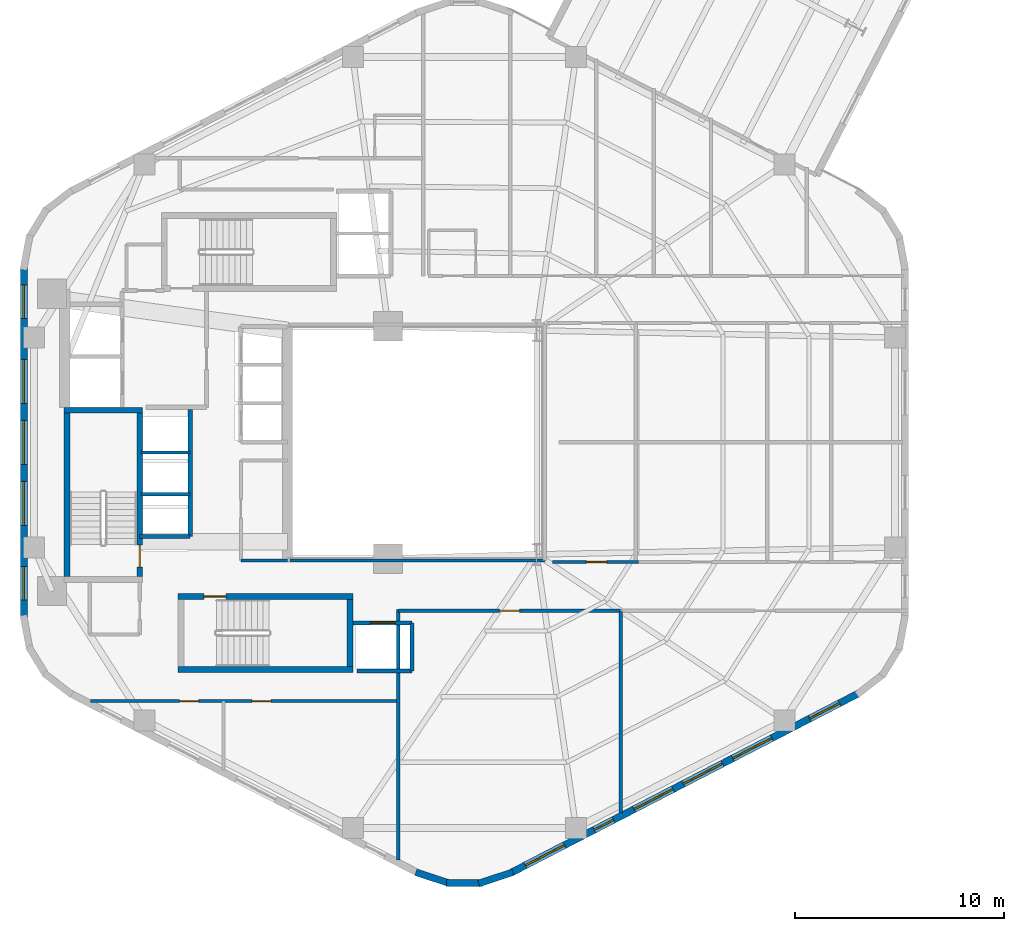
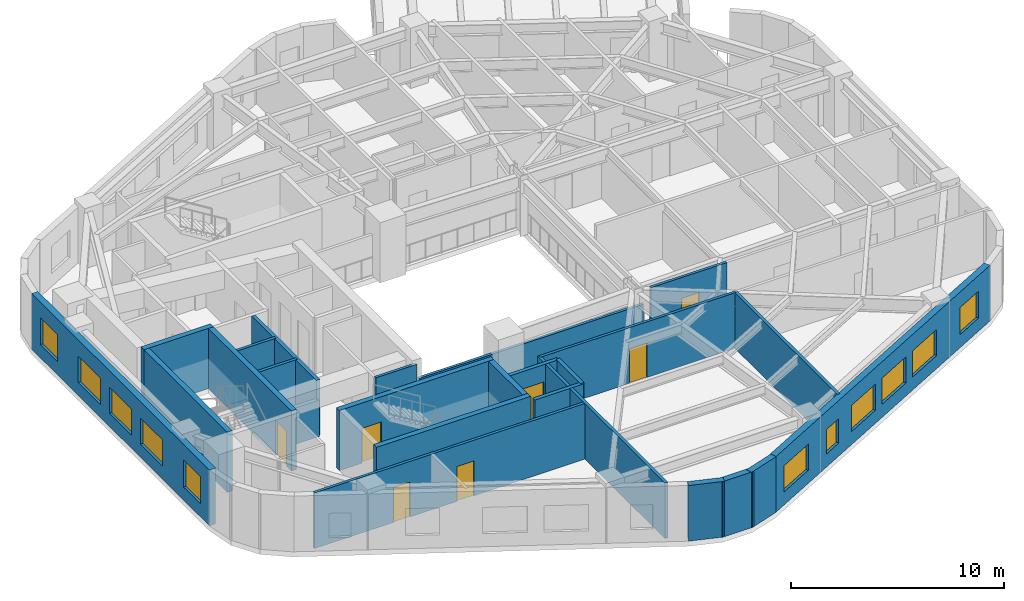
# One storey, part 5 of 11: 25 walls, 11 windows, 7 doors, 18 openings.
"""IFC4 building model written with IfcOpenShell, lengths in metres."""

from ifc_helpers import new_model, si_unit, direction, frame, frame_2d, origin, place, context, subcontext, project, spatial, rectangle, extrude, material, layer, layer_set, type_object, element, fill, save


model = new_model("IFC4")

# Units and contexts
model_context = context("Model", 3, precision=1e-05, world=origin(), true_north=direction((0.0, 1.0)))
body_context = subcontext(model_context, "Body", "Model", "MODEL_VIEW")
ifc_project = project(units=[si_unit("LENGTHUNIT", "METRE"), si_unit("AREAUNIT", "SQUARE_METRE"), si_unit("VOLUMEUNIT", "CUBIC_METRE"), si_unit("PLANEANGLEUNIT", "RADIAN"), si_unit("MASSUNIT", "GRAM", prefix="KILO"), si_unit("THERMODYNAMICTEMPERATUREUNIT", "KELVIN"), si_unit("POWERUNIT", "WATT")], contexts=[model_context])

# Site, building, storey
site_placement = place(None, origin())
site = spatial("IfcSite", under=ifc_project, at=site_placement, CompositionType="ELEMENT")
building_placement = place(site_placement, origin())
building = spatial("IfcBuilding", under=site, at=building_placement, Name="Skarre Station Tower", CompositionType="ELEMENT")
storey_placement = place(building_placement, frame((0.0, 0.0, 118.800048828125)))
storey = spatial("IfcBuildingStorey", under=building, at=storey_placement, Name="L31", CompositionType="ELEMENT", Elevation=118.800048828125)

# Walls
ifc_material_1 = material(Name="Acoustic Steel-Stud Gypsum Partition", Category="steel")
ifc_layer_1 = layer(ifc_material_1, 0.14990234375, Name="Acoustic Steel-Stud Gypsum Partition")
ifc_layer_set_1 = layer_set([ifc_layer_1], Name="Acoustic Steel-Stud Gypsum Partition")
wall_type_1 = type_object("IfcWallType", Name="Fire-Rated Corridor Acoustic Partition 150", PredefinedType="PARTITIONING", material=ifc_layer_set_1)
wall_1_placement = place(storey_placement, frame((25.320068359375, 18.360107421875, 0.0), z_axis=(0.0, 0.0, 1.0), x_axis=(1.0, 0.0, 0.0)))
element("IfcWall", 1, at=wall_1_placement, inside=storey, type_object=wall_type_1, Name="L31 Interior Partition WL-PT-L31-RC1-S", PredefinedType="PARTITIONING", context=body_context, shape_type="SweptSolid", body=[
    extrude(rectangle(XDim=2.22998046875, YDim=0.14990234375, at=frame_2d((1.114990234375, 0.0))), origin(), (0.0, 0.0, 1.0), 3.18994140625),
])
wall_2_placement = place(storey_placement, frame((27.675048828125, 18.360107421875, 0.0), z_axis=(0.0, 0.0, 1.0), x_axis=(1.0, 0.0, 0.0)))
element("IfcWall", 2, at=wall_2_placement, inside=storey, type_object=wall_type_1, Name="L31 Interior Partition WL-PT-L31-ATRW-S", PredefinedType="PARTITIONING", context=body_context, shape_type="SweptSolid", body=[
    extrude(rectangle(XDim=12.1650390625, YDim=0.14990234375, at=frame_2d((6.08251953125, 0.0))), origin(), (0.0, 0.0, 1.0), 2.3310546875),
])

# Wall, openings, doors
wall_3_placement = place(storey_placement, frame((18.1259765625, 11.639892578125, 0.0), z_axis=(0.0, 0.0, 1.0), x_axis=(1.0, 0.0, 0.0)))
wall_3 = element("IfcWall", 3, at=wall_3_placement, inside=storey, type_object=wall_type_1, Name="L31 Interior Partition WL-PT-L31-SWP-N", PredefinedType="PARTITIONING", context=body_context, shape_type="SweptSolid", body=[
    extrude(rectangle(XDim=14.72412109375, YDim=0.14990234375, at=frame_2d((7.362060546875, 0.0))), origin(), (0.0, 0.0, 1.0), 3.18994140625),
])
opening_1_placement = place(wall_3_placement, frame((4.27392578125, 0.0, 0.0)))
opening_1 = element("IfcOpeningElement", 4, at=opening_1_placement, cuts=wall_3, Name="Opening DR-SVC90", PredefinedType="OPENING", context=body_context, shape_type="SweptSolid", body=[
    extrude(rectangle(XDim=0.89990234375, YDim=2.0, at=frame_2d((0.449951171875, 1.0))), frame((0.0, 0.0849609375, 0.0), z_axis=(0.0, -1.0, 0.0), x_axis=(1.0, 0.0, 0.0)), (0.0, 0.0, 1.0), 0.169921875),
])
opening_2_placement = place(wall_3_placement, frame((7.72412109375, 0.0, 0.0)))
opening_2 = element("IfcOpeningElement", 5, at=opening_2_placement, cuts=wall_3, Name="Opening DR-SVC90", PredefinedType="OPENING", context=body_context, shape_type="SweptSolid", body=[
    extrude(rectangle(XDim=0.89990234375, YDim=2.0, at=frame_2d((0.449951171875, 1.0))), frame((0.0, 0.0849609375, 0.0), z_axis=(0.0, -1.0, 0.0), x_axis=(1.0, 0.0, 0.0)), (0.0, 0.0, 1.0), 0.169921875),
])
ifc_material_2 = material(Name="Powder-Coated Hollow-Metal Acoustic Fire Leaf", Category="steel")
door_type_1 = type_object("IfcDoorType", Name="Service & Riser Fire Door FD60 900x2100", OperationType="SINGLE_SWING_LEFT", PredefinedType="DOOR", material=ifc_material_2)
door_1_placement = place(opening_1_placement, origin())
door_1 = element("IfcDoor", 6, at=door_1_placement, inside=storey, type_object=door_type_1, Name="L31 Floor Public Toilets Door", OperationType="SINGLE_SWING_LEFT", OverallHeight=2.0, OverallWidth=0.89990234375, PredefinedType="DOOR", context=body_context, shape_type="SweptSolid", body=[
    extrude(rectangle(XDim=0.89990234375, YDim=2.0, at=frame_2d((0.449951171875, 1.0))), frame((0.0, 0.02490234375, 0.0), z_axis=(0.0, -1.0, 0.0), x_axis=(1.0, 0.0, 0.0)), (0.0, 0.0, 1.0), 0.050048828125),
])
fill(opening_1, door_1)
door_2_placement = place(opening_2_placement, origin())
door_2 = element("IfcDoor", 7, at=door_2_placement, inside=storey, type_object=door_type_1, Name="L31 Housekeeping Room Door", OperationType="SINGLE_SWING_LEFT", OverallHeight=2.0, OverallWidth=0.89990234375, PredefinedType="DOOR", context=body_context, shape_type="SweptSolid", body=[
    extrude(rectangle(XDim=0.89990234375, YDim=2.0, at=frame_2d((0.449951171875, 1.0))), frame((0.0, 0.02490234375, 0.0), z_axis=(0.0, -1.0, 0.0), x_axis=(1.0, 0.0, 0.0)), (0.0, 0.0, 1.0), 0.050048828125),
])
fill(opening_2, door_2)

# Wall, opening, door
wall_4_placement = place(storey_placement, frame((44.31201171875, 18.2900390625, 0.0), z_axis=(0.0, 0.0, 1.0), x_axis=(-1.0, 0.0, 0.0)))
wall_4 = element("IfcWall", 8, at=wall_4_placement, inside=storey, type_object=wall_type_1, Name="L31 Interior Partition WL-PT-L31-EWS1-CW", PredefinedType="PARTITIONING", context=body_context, shape_type="SweptSolid", body=[
    extrude(rectangle(XDim=4.112060546875, YDim=0.14990234375, at=frame_2d((2.05615234375, 0.0))), origin(), (0.0, 0.0, 1.0), 3.18994140625),
])
opening_3_placement = place(wall_4_placement, frame((1.51806640625, 0.0, 0.0)))
opening_3 = element("IfcOpeningElement", 9, at=opening_3_placement, cuts=wall_4, Name="Opening DR-FD60", PredefinedType="OPENING", context=body_context, shape_type="SweptSolid", body=[
    extrude(rectangle(XDim=0.9599609375, YDim=2.0, at=frame_2d((0.47998046875, 1.0))), frame((0.0, 0.0849609375, 0.0), z_axis=(0.0, -1.0, 0.0), x_axis=(1.0, 0.0, 0.0)), (0.0, 0.0, 1.0), 0.169921875),
])
ifc_material_3 = material(Name="Nordic White-Oak Veneer Solid-Core Fire Leaf", Category="wood")
door_type_2 = type_object("IfcDoorType", Name="Corridor Suite Entry Fire Door FD60 960x2150", OperationType="SINGLE_SWING_LEFT", PredefinedType="DOOR", material=ifc_material_3)
door_3_placement = place(opening_3_placement, origin())
door_3 = element("IfcDoor", 10, at=door_3_placement, inside=storey, type_object=door_type_2, Name="L31 EWS1 Entry Door", OperationType="SINGLE_SWING_LEFT", OverallHeight=2.0, OverallWidth=0.9599609375, PredefinedType="DOOR", context=body_context, shape_type="SweptSolid", body=[
    extrude(rectangle(XDim=0.9599609375, YDim=2.0, at=frame_2d((0.47998046875, 1.0))), frame((0.0, 0.02490234375, 0.0), z_axis=(0.0, -1.0, 0.0), x_axis=(1.0, 0.0, 0.0)), (0.0, 0.0, 1.0), 0.050048828125),
])
fill(opening_3, door_3)

wall_5_placement = place(storey_placement, frame((32.85009765625, 15.9599609375, 0.0), z_axis=(0.0, 0.0, 1.0), x_axis=(1.0, 0.0, 0.0)))
wall_5 = element("IfcWall", 11, at=wall_5_placement, inside=storey, type_object=wall_type_1, Name="L31 Interior Partition WL-PT-L31-SW1-CW", PredefinedType="PARTITIONING", context=body_context, shape_type="SweptSolid", body=[
    extrude(rectangle(XDim=10.61083984375, YDim=0.14990234375, at=frame_2d((5.305419921875, 0.0))), origin(), (0.0, 0.0, 1.0), 3.18994140625),
])
opening_4_placement = place(wall_5_placement, frame((4.825927734375, 0.0, 0.0)))
opening_4 = element("IfcOpeningElement", 12, at=opening_4_placement, cuts=wall_5, Name="Opening DR-FD60", PredefinedType="OPENING", context=body_context, shape_type="SweptSolid", body=[
    extrude(rectangle(XDim=0.9599609375, YDim=2.0, at=frame_2d((0.47998046875, 1.0))), frame((0.0, 0.0849609375, 0.0), z_axis=(0.0, -1.0, 0.0), x_axis=(1.0, 0.0, 0.0)), (0.0, 0.0, 1.0), 0.169921875),
])
door_4_placement = place(opening_4_placement, origin())
door_4 = element("IfcDoor", 13, at=door_4_placement, inside=storey, type_object=door_type_2, Name="L31 SW1 Entry Door", OperationType="SINGLE_SWING_LEFT", OverallHeight=2.0, OverallWidth=0.9599609375, PredefinedType="DOOR", context=body_context, shape_type="SweptSolid", body=[
    extrude(rectangle(XDim=0.9599609375, YDim=2.0, at=frame_2d((0.47998046875, 1.0))), frame((0.0, 0.02490234375, 0.0), z_axis=(0.0, -1.0, 0.0), x_axis=(1.0, 0.0, 0.0)), (0.0, 0.0, 1.0), 0.050048828125),
])
fill(opening_4, door_4)

# Wall, openings, windows
ifc_material_4 = material(Name="Precast concrete C45/55", Category="concrete")
ifc_layer_2 = layer(ifc_material_4, 0.340087890625, Name="Precast concrete C45/55")
ifc_layer_set_2 = layer_set([ifc_layer_2], Name="Precast concrete C45/55")
wall_type_2 = type_object("IfcWallType", Name="Nordic Honed Precast Facet Wall 340", PredefinedType="STANDARD", material=ifc_layer_set_2)
wall_6_placement = place(storey_placement, frame((14.951904296875, 15.64794921875, 0.0), z_axis=(0.0, 0.0, 1.0), x_axis=(0.0, 1.0, 0.0)))
wall_6 = element("IfcWall", 14, at=wall_6_placement, inside=storey, type_object=wall_type_2, Name="L31 Facet 2 Nordic Precast Masonry Wall", PredefinedType="STANDARD", context=body_context, shape_type="SweptSolid", body=[
    extrude(rectangle(XDim=16.7041015625, YDim=0.340087890625, at=frame_2d((8.35205078125, 0.0))), origin(), (0.0, 0.0, 1.0), 3.18994140625),
])
opening_5_placement = place(wall_6_placement, frame((0.825927734375, 0.0, 0.75)))
opening_5 = element("IfcOpeningElement", 15, at=opening_5_placement, cuts=wall_6, Name="Opening WN-Z2A", PredefinedType="OPENING", context=body_context, shape_type="SweptSolid", body=[
    extrude(rectangle(XDim=1.60009765625, YDim=1.550048828125, at=frame_2d((0.800048828125, 0.77490234375))), frame((0.0, 0.179931640625, 0.0), z_axis=(0.0, -1.0, 0.0), x_axis=(1.0, 0.0, 0.0)), (0.0, 0.0, 1.0), 0.360107421875),
])
opening_6_placement = place(wall_6_placement, frame((4.387939453125, 0.0, 0.75)))
opening_6 = element("IfcOpeningElement", 16, at=opening_6_placement, cuts=wall_6, Name="Opening WN-Z2B", PredefinedType="OPENING", context=body_context, shape_type="SweptSolid", body=[
    extrude(rectangle(XDim=2.10009765625, YDim=1.5, at=frame_2d((1.050048828125, 0.75))), frame((0.0, 0.179931640625, 0.0), z_axis=(0.0, -1.0, 0.0), x_axis=(1.0, 0.0, 0.0)), (0.0, 0.0, 1.0), 0.360107421875),
])
opening_7_placement = place(wall_6_placement, frame((7.302001953125, 0.0, 0.75)))
opening_7 = element("IfcOpeningElement", 17, at=opening_7_placement, cuts=wall_6, Name="Opening WN-Z2B", PredefinedType="OPENING", context=body_context, shape_type="SweptSolid", body=[
    extrude(rectangle(XDim=2.10009765625, YDim=1.5, at=frame_2d((1.050048828125, 0.75))), frame((0.0, 0.179931640625, 0.0), z_axis=(0.0, -1.0, 0.0), x_axis=(1.0, 0.0, 0.0)), (0.0, 0.0, 1.0), 0.360107421875),
])
opening_8_placement = place(wall_6_placement, frame((10.216064453125, 0.0, 0.75)))
opening_8 = element("IfcOpeningElement", 18, at=opening_8_placement, cuts=wall_6, Name="Opening WN-Z2B", PredefinedType="OPENING", context=body_context, shape_type="SweptSolid", body=[
    extrude(rectangle(XDim=2.10009765625, YDim=1.5, at=frame_2d((1.050048828125, 0.75))), frame((0.0, 0.179931640625, 0.0), z_axis=(0.0, -1.0, 0.0), x_axis=(1.0, 0.0, 0.0)), (0.0, 0.0, 1.0), 0.360107421875),
])
opening_9_placement = place(wall_6_placement, frame((14.278076171875, 0.0, 0.75)))
opening_9 = element("IfcOpeningElement", 19, at=opening_9_placement, cuts=wall_6, Name="Opening WN-Z2A", PredefinedType="OPENING", context=body_context, shape_type="SweptSolid", body=[
    extrude(rectangle(XDim=1.60009765625, YDim=1.550048828125, at=frame_2d((0.800048828125, 0.77490234375))), frame((0.0, 0.179931640625, 0.0), z_axis=(0.0, -1.0, 0.0), x_axis=(1.0, 0.0, 0.0)), (0.0, 0.0, 1.0), 0.360107421875),
])
ifc_material_5 = material(Name="Low-Iron Triple Glazing with Bronze Anodized Frame", Category="glass")
window_type_1 = type_object("IfcWindowType", Name="Nordic Residential Tall Window 1600x1550", PartitioningType="SINGLE_PANEL", PredefinedType="WINDOW", material=ifc_material_5)
window_1_placement = place(opening_5_placement, origin())
window_1 = element("IfcWindow", 20, at=window_1_placement, inside=storey, type_object=window_type_1, Name="L31 Facade Window WL-FAC-L31-F2-1", OverallHeight=1.550048828125, OverallWidth=1.60009765625, PartitioningType="SINGLE_PANEL", PredefinedType="WINDOW", context=body_context, shape_type="SweptSolid", body=[
    extrude(rectangle(XDim=1.60009765625, YDim=1.550048828125, at=frame_2d((0.800048828125, 0.77490234375))), frame((0.0, 0.030029296875, 0.0), z_axis=(0.0, -1.0, 0.0), x_axis=(1.0, 0.0, 0.0)), (0.0, 0.0, 1.0), 0.06005859375),
])
fill(opening_5, window_1)
window_2_placement = place(opening_9_placement, origin())
window_2 = element("IfcWindow", 21, at=window_2_placement, inside=storey, type_object=window_type_1, Name="L31 Facade Window WL-FAC-L31-F2-5", OverallHeight=1.550048828125, OverallWidth=1.60009765625, PartitioningType="SINGLE_PANEL", PredefinedType="WINDOW", context=body_context, shape_type="SweptSolid", body=[
    extrude(rectangle(XDim=1.60009765625, YDim=1.550048828125, at=frame_2d((0.800048828125, 0.77490234375))), frame((0.0, 0.030029296875, 0.0), z_axis=(0.0, -1.0, 0.0), x_axis=(1.0, 0.0, 0.0)), (0.0, 0.0, 1.0), 0.06005859375),
])
fill(opening_9, window_2)
window_type_2 = type_object("IfcWindowType", Name="Nordic Residential Twin Window 2100x1500", PartitioningType="SINGLE_PANEL", PredefinedType="WINDOW", material=ifc_material_5)
window_3_placement = place(opening_6_placement, origin())
window_3 = element("IfcWindow", 22, at=window_3_placement, inside=storey, type_object=window_type_2, Name="L31 Facade Window WL-FAC-L31-F2-2", OverallHeight=1.5, OverallWidth=2.10009765625, PartitioningType="SINGLE_PANEL", PredefinedType="WINDOW", context=body_context, shape_type="SweptSolid", body=[
    extrude(rectangle(XDim=2.10009765625, YDim=1.5, at=frame_2d((1.050048828125, 0.75))), frame((0.0, 0.030029296875, 0.0), z_axis=(0.0, -1.0, 0.0), x_axis=(1.0, 0.0, 0.0)), (0.0, 0.0, 1.0), 0.06005859375),
])
fill(opening_6, window_3)
window_4_placement = place(opening_7_placement, origin())
window_4 = element("IfcWindow", 23, at=window_4_placement, inside=storey, type_object=window_type_2, Name="L31 Facade Window WL-FAC-L31-F2-3", OverallHeight=1.5, OverallWidth=2.10009765625, PartitioningType="SINGLE_PANEL", PredefinedType="WINDOW", context=body_context, shape_type="SweptSolid", body=[
    extrude(rectangle(XDim=2.10009765625, YDim=1.5, at=frame_2d((1.050048828125, 0.75))), frame((0.0, 0.030029296875, 0.0), z_axis=(0.0, -1.0, 0.0), x_axis=(1.0, 0.0, 0.0)), (0.0, 0.0, 1.0), 0.06005859375),
])
fill(opening_7, window_4)
window_5_placement = place(opening_8_placement, origin())
window_5 = element("IfcWindow", 24, at=window_5_placement, inside=storey, type_object=window_type_2, Name="L31 Facade Window WL-FAC-L31-F2-4", OverallHeight=1.5, OverallWidth=2.10009765625, PartitioningType="SINGLE_PANEL", PredefinedType="WINDOW", context=body_context, shape_type="SweptSolid", body=[
    extrude(rectangle(XDim=2.10009765625, YDim=1.5, at=frame_2d((1.050048828125, 0.75))), frame((0.0, 0.030029296875, 0.0), z_axis=(0.0, -1.0, 0.0), x_axis=(1.0, 0.0, 0.0)), (0.0, 0.0, 1.0), 0.06005859375),
])
fill(opening_8, window_5)

wall_7_placement = place(storey_placement, frame((54.8310546875, 12.010009765625, 0.0), z_axis=(0.0, 0.0, 1.0), x_axis=(-0.888613612362, -0.458656568606, 0.0)))
wall_7 = element("IfcWall", 25, at=wall_7_placement, inside=storey, type_object=wall_type_2, Name="L31 Facet 4 Nordic Precast Masonry Wall", PredefinedType="STANDARD", context=body_context, shape_type="SweptSolid", body=[
    extrude(rectangle(XDim=18.680908203125, YDim=0.340087890625, at=frame_2d((9.34033203125, 0.0))), origin(), (0.0, 0.0, 1.0), 3.18994140625),
])
opening_10_placement = place(wall_7_placement, frame((1.02294921875, 0.0, 0.75)))
opening_10 = element("IfcOpeningElement", 26, at=opening_10_placement, cuts=wall_7, Name="Opening WN-Z2A", PredefinedType="OPENING", context=body_context, shape_type="SweptSolid", body=[
    extrude(rectangle(XDim=1.60009765625, YDim=1.550048828125, at=frame_2d((0.800048828125, 0.77490234375))), frame((0.0, 0.179931640625, 0.0), z_axis=(0.0, -1.0, 0.0), x_axis=(1.0, 0.0, 0.0)), (0.0, 0.0, 1.0), 0.360107421875),
])
opening_11_placement = place(wall_7_placement, frame((4.655029296875, 0.0, 0.75)))
opening_11 = element("IfcOpeningElement", 27, at=opening_11_placement, cuts=wall_7, Name="Opening WN-Z2B", PredefinedType="OPENING", context=body_context, shape_type="SweptSolid", body=[
    extrude(rectangle(XDim=2.10009765625, YDim=1.5, at=frame_2d((1.050048828125, 0.75))), frame((0.0, 0.179931640625, 0.0), z_axis=(0.0, -1.0, 0.0), x_axis=(1.0, 0.0, 0.0)), (0.0, 0.0, 1.0), 0.360107421875),
])
opening_12_placement = place(wall_7_placement, frame((7.31298828125, 0.0, 0.75)))
opening_12 = element("IfcOpeningElement", 28, at=opening_12_placement, cuts=wall_7, Name="Opening WN-Z2B", PredefinedType="OPENING", context=body_context, shape_type="SweptSolid", body=[
    extrude(rectangle(XDim=2.10009765625, YDim=1.5, at=frame_2d((1.050048828125, 0.75))), frame((0.0, 0.179931640625, 0.0), z_axis=(0.0, -1.0, 0.0), x_axis=(1.0, 0.0, 0.0)), (0.0, 0.0, 1.0), 0.360107421875),
])
opening_13_placement = place(wall_7_placement, frame((9.970947265625, 0.0, 0.75)))
opening_13 = element("IfcOpeningElement", 29, at=opening_13_placement, cuts=wall_7, Name="Opening WN-Z2B", PredefinedType="OPENING", context=body_context, shape_type="SweptSolid", body=[
    extrude(rectangle(XDim=2.10009765625, YDim=1.5, at=frame_2d((1.050048828125, 0.75))), frame((0.0, 0.179931640625, 0.0), z_axis=(0.0, -1.0, 0.0), x_axis=(1.0, 0.0, 0.0)), (0.0, 0.0, 1.0), 0.360107421875),
])
opening_14_placement = place(wall_7_placement, frame((13.1650390625, 0.0, 0.75)))
opening_14 = element("IfcOpeningElement", 30, at=opening_14_placement, cuts=wall_7, Name="Opening WN-SLT", PredefinedType="OPENING", context=body_context, shape_type="SweptSolid", body=[
    extrude(rectangle(XDim=1.050048828125, YDim=1.39990234375, at=frame_2d((0.52490234375, 0.699951171875))), frame((0.0, 0.179931640625, 0.0), z_axis=(0.0, -1.0, 0.0), x_axis=(1.0, 0.0, 0.0)), (0.0, 0.0, 1.0), 0.360107421875),
])
opening_15_placement = place(wall_7_placement, frame((15.80810546875, 0.0, 0.75)))
opening_15 = element("IfcOpeningElement", 31, at=opening_15_placement, cuts=wall_7, Name="Opening WN-Z2B", PredefinedType="OPENING", context=body_context, shape_type="SweptSolid", body=[
    extrude(rectangle(XDim=2.10009765625, YDim=1.5, at=frame_2d((1.050048828125, 0.75))), frame((0.0, 0.179931640625, 0.0), z_axis=(0.0, -1.0, 0.0), x_axis=(1.0, 0.0, 0.0)), (0.0, 0.0, 1.0), 0.360107421875),
])
window_type_3 = type_object("IfcWindowType", Name="Nordic Corner Slot Window 1050x1400", PartitioningType="SINGLE_PANEL", PredefinedType="WINDOW", material=ifc_material_5)
window_6_placement = place(opening_14_placement, origin())
window_6 = element("IfcWindow", 32, at=window_6_placement, inside=storey, type_object=window_type_3, Name="L31 Facade Window WL-FAC-L31-F4-5", OverallHeight=1.39990234375, OverallWidth=1.050048828125, PartitioningType="SINGLE_PANEL", PredefinedType="WINDOW", context=body_context, shape_type="SweptSolid", body=[
    extrude(rectangle(XDim=1.050048828125, YDim=1.39990234375, at=frame_2d((0.52490234375, 0.699951171875))), frame((0.0, 0.030029296875, 0.0), z_axis=(0.0, -1.0, 0.0), x_axis=(1.0, 0.0, 0.0)), (0.0, 0.0, 1.0), 0.06005859375),
])
fill(opening_14, window_6)
window_7_placement = place(opening_10_placement, origin())
window_7 = element("IfcWindow", 33, at=window_7_placement, inside=storey, type_object=window_type_1, Name="L31 Facade Window WL-FAC-L31-F4-1", OverallHeight=1.550048828125, OverallWidth=1.60009765625, PartitioningType="SINGLE_PANEL", PredefinedType="WINDOW", context=body_context, shape_type="SweptSolid", body=[
    extrude(rectangle(XDim=1.60009765625, YDim=1.550048828125, at=frame_2d((0.800048828125, 0.77490234375))), frame((0.0, 0.030029296875, 0.0), z_axis=(0.0, -1.0, 0.0), x_axis=(1.0, 0.0, 0.0)), (0.0, 0.0, 1.0), 0.06005859375),
])
fill(opening_10, window_7)
window_8_placement = place(opening_11_placement, origin())
window_8 = element("IfcWindow", 34, at=window_8_placement, inside=storey, type_object=window_type_2, Name="L31 Facade Window WL-FAC-L31-F4-2", OverallHeight=1.5, OverallWidth=2.10009765625, PartitioningType="SINGLE_PANEL", PredefinedType="WINDOW", context=body_context, shape_type="SweptSolid", body=[
    extrude(rectangle(XDim=2.10009765625, YDim=1.5, at=frame_2d((1.050048828125, 0.75))), frame((0.0, 0.030029296875, 0.0), z_axis=(0.0, -1.0, 0.0), x_axis=(1.0, 0.0, 0.0)), (0.0, 0.0, 1.0), 0.06005859375),
])
fill(opening_11, window_8)
window_9_placement = place(opening_12_placement, origin())
window_9 = element("IfcWindow", 35, at=window_9_placement, inside=storey, type_object=window_type_2, Name="L31 Facade Window WL-FAC-L31-F4-3", OverallHeight=1.5, OverallWidth=2.10009765625, PartitioningType="SINGLE_PANEL", PredefinedType="WINDOW", context=body_context, shape_type="SweptSolid", body=[
    extrude(rectangle(XDim=2.10009765625, YDim=1.5, at=frame_2d((1.050048828125, 0.75))), frame((0.0, 0.030029296875, 0.0), z_axis=(0.0, -1.0, 0.0), x_axis=(1.0, 0.0, 0.0)), (0.0, 0.0, 1.0), 0.06005859375),
])
fill(opening_12, window_9)
window_10_placement = place(opening_13_placement, origin())
window_10 = element("IfcWindow", 36, at=window_10_placement, inside=storey, type_object=window_type_2, Name="L31 Facade Window WL-FAC-L31-F4-4", OverallHeight=1.5, OverallWidth=2.10009765625, PartitioningType="SINGLE_PANEL", PredefinedType="WINDOW", context=body_context, shape_type="SweptSolid", body=[
    extrude(rectangle(XDim=2.10009765625, YDim=1.5, at=frame_2d((1.050048828125, 0.75))), frame((0.0, 0.030029296875, 0.0), z_axis=(0.0, -1.0, 0.0), x_axis=(1.0, 0.0, 0.0)), (0.0, 0.0, 1.0), 0.06005859375),
])
fill(opening_13, window_10)
window_11_placement = place(opening_15_placement, origin())
window_11 = element("IfcWindow", 37, at=window_11_placement, inside=storey, type_object=window_type_2, Name="L31 Facade Window WL-FAC-L31-F4-6", OverallHeight=1.5, OverallWidth=2.10009765625, PartitioningType="SINGLE_PANEL", PredefinedType="WINDOW", context=body_context, shape_type="SweptSolid", body=[
    extrude(rectangle(XDim=2.10009765625, YDim=1.5, at=frame_2d((1.050048828125, 0.75))), frame((0.0, 0.030029296875, 0.0), z_axis=(0.0, -1.0, 0.0), x_axis=(1.0, 0.0, 0.0)), (0.0, 0.0, 1.0), 0.06005859375),
])
fill(opening_15, window_11)

# Walls
ifc_layer_3 = layer(ifc_material_4, 0.330078125, Name="Precast concrete C45/55")
ifc_layer_set_3 = layer_set([ifc_layer_3], Name="Precast concrete C45/55")
wall_type_3 = type_object("IfcWallType", Name="Nordic Rounded Corner Precast Wall 330", PredefinedType="STANDARD", material=ifc_layer_set_3)
for number, where, z_axis, x_axis, name in (
    (38, (38.319091796875, 3.468017578125, 0.0), (0.0, 0.0, 1.0), (-0.949937416267, -0.312440242569, 0.0), "L31 Rounded Corner Precast Wall F4-1"),
    (39, (36.861083984375, 2.958984375, 0.0), (0.0, 0.0, 1.0), (-1.0, 0.0, 0.0), "L31 Rounded Corner Precast Wall F4-2"),
    (40, (35.31689453125, 2.929931640625, 0.0), (0.0, 0.0, 1.0), (-0.949937416267, 0.312440242569, 0.0), "L31 Rounded Corner Precast Wall F4-3"),
):
    element("IfcWall", number, at=place(storey_placement, frame(where, z_axis=z_axis, x_axis=x_axis)), inside=storey, type_object=wall_type_3, Name=name, PredefinedType="STANDARD", context=body_context, shape_type="SweptSolid", body=[
        extrude(rectangle(XDim=1.72216796875, YDim=0.330078125, at=frame_2d((0.861083984375, 0.0))), origin(), (0.0, 0.0, 1.0), 3.18994140625),
    ])
ifc_material_6 = material(Name="Concrete C50/60", Category="concrete")
ifc_layer_4 = layer(ifc_material_6, 0.280029296875, Name="Concrete C50/60")
ifc_layer_set_4 = layer_set([ifc_layer_4], Name="Concrete C50/60")
wall_type_4 = type_object("IfcWallType", Name="RC Core Shear Wall 280", PredefinedType="SHEAR", material=ifc_layer_set_4)
wall_8_placement = place(storey_placement, frame((20.6298828125, 25.5400390625, 0.0), z_axis=(0.0, 0.0, 1.0), x_axis=(-1.0, 0.0, 0.0)))
element("IfcWall", 41, at=wall_8_placement, inside=storey, type_object=wall_type_4, Name="L31 Stair ST-1 North Shear Wall", PredefinedType="SHEAR", context=body_context, shape_type="SweptSolid", body=[
    extrude(rectangle(XDim=3.759765625, YDim=0.280029296875, at=frame_2d((1.8798828125, 0.0))), origin(), (0.0, 0.0, 1.0), 3.449951171875),
])
wall_9_placement = place(storey_placement, frame((17.010009765625, 25.39990234375, 0.0), z_axis=(0.0, 0.0, 1.0), x_axis=(0.0, -1.0, 0.0)))
element("IfcWall", 42, at=wall_9_placement, inside=storey, type_object=wall_type_4, Name="L31 Stair ST-1 West Shear Wall", PredefinedType="SHEAR", context=body_context, shape_type="SweptSolid", body=[
    extrude(rectangle(XDim=7.7998046875, YDim=0.280029296875, at=frame_2d((3.89990234375, 0.0))), origin(), (0.0, 0.0, 1.0), 3.449951171875),
])

# Wall, opening, door
wall_10_placement = place(storey_placement, frame((20.489990234375, 17.60009765625, 0.0), z_axis=(0.0, 0.0, 1.0), x_axis=(0.0, 1.0, 0.0)))
wall_10 = element("IfcWall", 43, at=wall_10_placement, inside=storey, type_object=wall_type_4, Name="L31 Stair ST-1 East Shear Wall", PredefinedType="SHEAR", context=body_context, shape_type="SweptSolid", body=[
    extrude(rectangle(XDim=7.7998046875, YDim=0.280029296875, at=frame_2d((3.89990234375, 0.0))), origin(), (0.0, 0.0, 1.0), 3.449951171875),
])
opening_16_placement = place(wall_10_placement, frame((0.43994140625, 0.0, 0.0)))
opening_16 = element("IfcOpeningElement", 44, at=opening_16_placement, cuts=wall_10, Name="Opening DR-FD90", PredefinedType="OPENING", context=body_context, shape_type="SweptSolid", body=[
    extrude(rectangle(XDim=1.050048828125, YDim=2.0, at=frame_2d((0.52490234375, 1.0))), frame((0.0, 0.14990234375, 0.0), z_axis=(0.0, -1.0, 0.0), x_axis=(1.0, 0.0, 0.0)), (0.0, 0.0, 1.0), 0.300048828125),
])
ifc_material_7 = material(Name="Fire-Rated Insulated Steel Frame & Timber Core Leaf", Category="steel")
door_type_3 = type_object("IfcDoorType", Name="Stair & FSAE Lobby Fire Door FD90 1050x2150", OperationType="SINGLE_SWING_RIGHT", PredefinedType="DOOR", material=ifc_material_7)
door_5_placement = place(opening_16_placement, origin())
door_5 = element("IfcDoor", 45, at=door_5_placement, inside=storey, type_object=door_type_3, Name="L31 Stair ST-1 Exit Door", OperationType="SINGLE_SWING_RIGHT", OverallHeight=2.0, OverallWidth=1.050048828125, PredefinedType="DOOR", context=body_context, shape_type="SweptSolid", body=[
    extrude(rectangle(XDim=1.050048828125, YDim=2.0, at=frame_2d((0.52490234375, 1.0))), frame((0.0, 0.02490234375, 0.0), z_axis=(0.0, -1.0, 0.0), x_axis=(1.0, 0.0, 0.0)), (0.0, 0.0, 1.0), 0.050048828125),
])
fill(opening_16, door_5)

# Wall
wall_11_placement = place(storey_placement, frame((22.320068359375, 13.159912109375, 0.0), z_axis=(0.0, 0.0, 1.0), x_axis=(1.0, 0.0, 0.0)))
element("IfcWall", 46, at=wall_11_placement, inside=storey, type_object=wall_type_4, Name="L31 Stair ST-2 South Shear Wall", PredefinedType="SHEAR", context=body_context, shape_type="SweptSolid", body=[
    extrude(rectangle(XDim=8.35986328125, YDim=0.280029296875, at=frame_2d((4.179931640625, 0.0))), origin(), (0.0, 0.0, 1.0), 3.449951171875),
])

# Wall, opening, door
wall_12_placement = place(storey_placement, frame((30.679931640625, 16.639892578125, 0.0), z_axis=(0.0, 0.0, 1.0), x_axis=(-1.0, 0.0, 0.0)))
wall_12 = element("IfcWall", 47, at=wall_12_placement, inside=storey, type_object=wall_type_4, Name="L31 Stair ST-2 North Shear Wall", PredefinedType="SHEAR", context=body_context, shape_type="SweptSolid", body=[
    extrude(rectangle(XDim=8.35986328125, YDim=0.280029296875, at=frame_2d((4.179931640625, 0.0))), origin(), (0.0, 0.0, 1.0), 3.449951171875),
])
opening_17_placement = place(wall_12_placement, frame((6.080078125, 0.0, 0.0)))
opening_17 = element("IfcOpeningElement", 48, at=opening_17_placement, cuts=wall_12, Name="Opening DR-FD90", PredefinedType="OPENING", context=body_context, shape_type="SweptSolid", body=[
    extrude(rectangle(XDim=1.050048828125, YDim=2.0, at=frame_2d((0.52490234375, 1.0))), frame((0.0, 0.14990234375, 0.0), z_axis=(0.0, -1.0, 0.0), x_axis=(1.0, 0.0, 0.0)), (0.0, 0.0, 1.0), 0.300048828125),
])
door_6_placement = place(opening_17_placement, origin())
door_6 = element("IfcDoor", 49, at=door_6_placement, inside=storey, type_object=door_type_3, Name="L31 Stair ST-2 Exit Door", OperationType="SINGLE_SWING_RIGHT", OverallHeight=2.0, OverallWidth=1.050048828125, PredefinedType="DOOR", context=body_context, shape_type="SweptSolid", body=[
    extrude(rectangle(XDim=1.050048828125, YDim=2.0, at=frame_2d((0.52490234375, 1.0))), frame((0.0, 0.02490234375, 0.0), z_axis=(0.0, -1.0, 0.0), x_axis=(1.0, 0.0, 0.0)), (0.0, 0.0, 1.0), 0.050048828125),
])
fill(opening_17, door_6)

# Wall
wall_13_placement = place(storey_placement, frame((30.5400390625, 13.300048828125, 0.0), z_axis=(0.0, 0.0, 1.0), x_axis=(0.0, 1.0, 0.0)))
element("IfcWall", 50, at=wall_13_placement, inside=storey, type_object=wall_type_4, Name="L31 Stair ST-2 East Shear Wall", PredefinedType="SHEAR", context=body_context, shape_type="SweptSolid", body=[
    extrude(rectangle(XDim=3.199951171875, YDim=0.280029296875, at=frame_2d((1.60009765625, 0.0))), origin(), (0.0, 0.0, 1.0), 3.449951171875),
])

# Wall, opening, door
ifc_material_8 = material(Name="Gypsum Concrete Shaft Assembly C30/37", Category="concrete")
ifc_layer_5 = layer(ifc_material_8, 0.199951171875, Name="Gypsum Concrete Shaft Assembly C30/37")
ifc_layer_set_5 = layer_set([ifc_layer_5], Name="Gypsum Concrete Shaft Assembly C30/37")
wall_type_5 = type_object("IfcWallType", Name="Shaft & Core Fire Partition 200", PredefinedType="PARTITIONING", material=ifc_layer_set_5)
wall_14_placement = place(storey_placement, frame((33.5, 15.3798828125, 0.0), z_axis=(0.0, 0.0, 1.0), x_axis=(-1.0, 0.0, 0.0)))
wall_14 = element("IfcWall", 51, at=wall_14_placement, inside=storey, type_object=wall_type_5, Name="L31 Interior Partition WL-PT-L31-SV1-N", PredefinedType="PARTITIONING", context=body_context, shape_type="SweptSolid", body=[
    extrude(rectangle(XDim=2.820068359375, YDim=0.199951171875, at=frame_2d((1.41015625, 0.0))), origin(), (0.0, 0.0, 1.0), 3.18994140625),
])
opening_18_placement = place(wall_14_placement, frame((0.800048828125, 0.0, 0.0)))
opening_18 = element("IfcOpeningElement", 52, at=opening_18_placement, cuts=wall_14, Name="Opening LD-SV1", PredefinedType="OPENING", context=body_context, shape_type="SweptSolid", body=[
    extrude(rectangle(XDim=1.199951171875, YDim=2.199951171875, at=frame_2d((0.60009765625, 1.10009765625))), frame((0.0, 0.10986328125, 0.0), z_axis=(0.0, -1.0, 0.0), x_axis=(1.0, 0.0, 0.0)), (0.0, 0.0, 1.0), 0.219970703125),
])
ifc_material_9 = material(Name="Heavy-Gauge Brushed Stainless Steel Sliding Leaves", Category="steel")
door_type_4 = type_object("IfcDoorType", Name="Service Elevator Wide Sliding Landing Door 1200x2200", OperationType="SLIDING_TO_RIGHT", PredefinedType="DOOR", material=ifc_material_9)
door_7_placement = place(opening_18_placement, origin())
door_7 = element("IfcDoor", 53, at=door_7_placement, inside=storey, type_object=door_type_4, Name="L31 Service Lift LF-SV1 Landing Door", OperationType="SLIDING_TO_RIGHT", OverallHeight=2.199951171875, OverallWidth=1.199951171875, PredefinedType="DOOR", context=body_context, shape_type="SweptSolid", body=[
    extrude(rectangle(XDim=1.199951171875, YDim=2.199951171875, at=frame_2d((0.60009765625, 1.10009765625))), frame((0.0, 0.02490234375, 0.0), z_axis=(0.0, -1.0, 0.0), x_axis=(1.0, 0.0, 0.0)), (0.0, 0.0, 1.0), 0.050048828125),
])
fill(opening_18, door_7)

# Walls
wall_15_placement = place(storey_placement, frame((33.5, 13.080078125, 0.0), z_axis=(0.0, 0.0, 1.0), x_axis=(0.0, 1.0, 0.0)))
element("IfcWall", 54, at=wall_15_placement, inside=storey, type_object=wall_type_5, Name="L31 Interior Partition WL-PT-L31-SV1-E", PredefinedType="PARTITIONING", context=body_context, shape_type="SweptSolid", body=[
    extrude(rectangle(XDim=2.2998046875, YDim=0.199951171875, at=frame_2d((1.14990234375, 0.0))), origin(), (0.0, 0.0, 1.0), 3.18994140625),
])
wall_16_placement = place(storey_placement, frame((30.87890625, 13.080078125, 0.0), z_axis=(0.0, 0.0, 1.0), x_axis=(1.0, 0.0, 0.0)))
element("IfcWall", 55, at=wall_16_placement, inside=storey, type_object=wall_type_5, Name="L31 Interior Partition WL-PT-L31-SV1-S", PredefinedType="PARTITIONING", context=body_context, shape_type="SweptSolid", body=[
    extrude(rectangle(XDim=2.62109375, YDim=0.199951171875, at=frame_2d((1.310546875, 0.0))), origin(), (0.0, 0.0, 1.0), 3.18994140625),
])
wall_17_placement = place(storey_placement, frame((22.89990234375, 19.5, 0.0), z_axis=(0.0, 0.0, 1.0), x_axis=(0.0, 1.0, 0.0)))
element("IfcWall", 56, at=wall_17_placement, inside=storey, type_object=wall_type_5, Name="L31 Interior Partition WL-PT-L31-B3-E", PredefinedType="PARTITIONING", context=body_context, shape_type="SweptSolid", body=[
    extrude(rectangle(XDim=6.0849609375, YDim=0.199951171875, at=frame_2d((3.04248046875, 0.0))), origin(), (0.0, 0.0, 1.0), 3.18994140625),
])
wall_18_placement = place(storey_placement, frame((20.489990234375, 19.5, 0.0), z_axis=(0.0, 0.0, 1.0), x_axis=(1.0, 0.0, 0.0)))
element("IfcWall", 57, at=wall_18_placement, inside=storey, type_object=wall_type_5, Name="L31 Interior Partition WL-PT-L31-B3-S", PredefinedType="PARTITIONING", context=body_context, shape_type="SweptSolid", body=[
    extrude(rectangle(XDim=2.409912109375, YDim=0.199951171875, at=frame_2d((1.205078125, 0.0))), origin(), (0.0, 0.0, 1.0), 2.08984375),
])
for number, where, z_axis, x_axis, name in (
    (58, (20.550048828125, 21.52001953125, 0.0), (0.0, 0.0, 1.0), (1.0, 0.0, 0.0), "L31 Interior Partition WL-PT-L31-B3-D1"),
    (59, (20.550048828125, 23.52001953125, 0.0), (0.0, 0.0, 1.0), (1.0, 0.0, 0.0), "L31 Interior Partition WL-PT-L31-B3-D2"),
):
    element("IfcWall", number, at=place(storey_placement, frame(where, z_axis=z_axis, x_axis=x_axis)), inside=storey, type_object=wall_type_5, Name=name, PredefinedType="PARTITIONING", context=body_context, shape_type="SweptSolid", body=[
        extrude(rectangle(XDim=2.349853515625, YDim=0.159912109375, at=frame_2d((1.1748046875, 0.0))), origin(), (0.0, 0.0, 1.0), 3.18994140625),
    ])
ifc_layer_6 = layer(ifc_material_1, 0.1650390625, Name="Acoustic Steel-Stud Gypsum Partition")
ifc_layer_set_6 = layer_set([ifc_layer_6], Name="Acoustic Steel-Stud Gypsum Partition")
wall_type_6 = type_object("IfcWallType", Name="Suite Demising Acoustic Partition 165", PredefinedType="PARTITIONING", material=ifc_layer_set_6)
wall_19_placement = place(storey_placement, frame((32.85009765625, 4.0400390625, 0.0), z_axis=(0.0, 0.0, 1.0), x_axis=(0.0, 1.0, 0.0)))
element("IfcWall", 60, at=wall_19_placement, inside=storey, type_object=wall_type_6, Name="L31 Interior Partition WL-PT-L31-SWP-E", PredefinedType="PARTITIONING", context=body_context, shape_type="SweptSolid", body=[
    extrude(rectangle(XDim=11.989990234375, YDim=0.1650390625, at=frame_2d((5.9951171875, 0.0))), origin(), (0.0, 0.0, 1.0), 3.18994140625),
])
wall_20_placement = place(storey_placement, frame((43.47900390625, 6.285888671875, 0.0), z_axis=(0.0, 0.0, 1.0), x_axis=(0.0, 1.0, 0.0)))
element("IfcWall", 61, at=wall_20_placement, inside=storey, type_object=wall_type_6, Name="L31 Interior Partition WL-PT-L31-SW-P1", PredefinedType="PARTITIONING", context=body_context, shape_type="SweptSolid", body=[
    extrude(rectangle(XDim=9.64404296875, YDim=0.1650390625, at=frame_2d((4.822021484375, 0.0))), origin(), (0.0, 0.0, 1.0), 3.18994140625),
])

save(model, "model.ifc")
